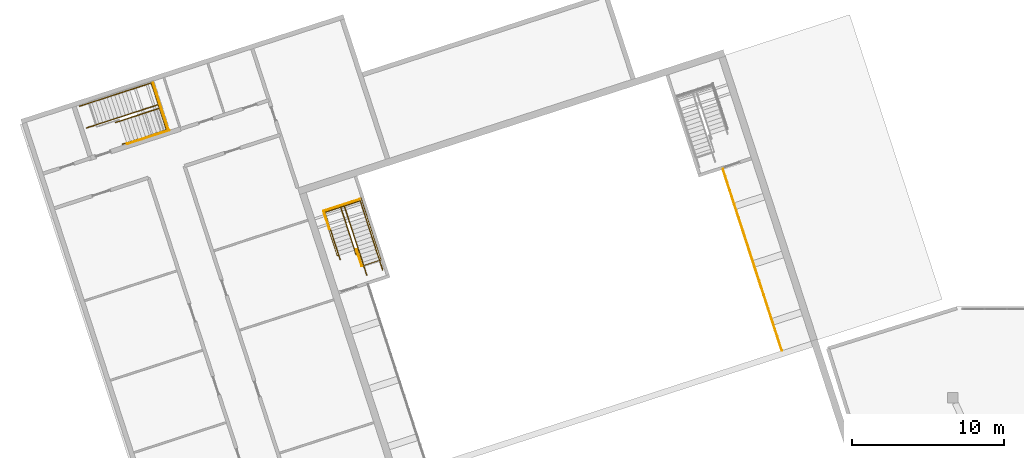
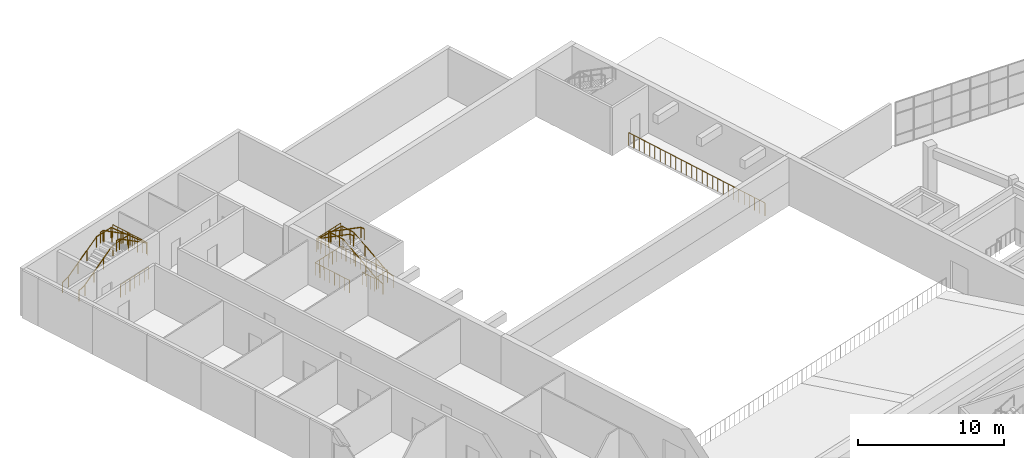
# One storey, part 62 of 65: 11 railings.
"""IFC4 building model written with IfcOpenShell, lengths in metres."""

from ifc_helpers import new_model, si_unit, direction, frame, origin, origin_2d, place, context, subcontext, project, spatial, circle, extrude, material, type_object, element, save


model = new_model("IFC4")

# Units and contexts
model_context = context("Model", 3, precision=1e-05, world=origin(), true_north=direction((0.0, 1.0)))
body_context = subcontext(model_context, "Body", "Model", "MODEL_VIEW")
ifc_project = project(units=[si_unit("LENGTHUNIT", "METRE"), si_unit("AREAUNIT", "SQUARE_METRE"), si_unit("VOLUMEUNIT", "CUBIC_METRE"), si_unit("PLANEANGLEUNIT", "RADIAN"), si_unit("MASSUNIT", "GRAM", prefix="KILO")], contexts=[model_context])

# Site, building, storey
site_placement = place(None, origin())
site = spatial("IfcSite", under=ifc_project, at=site_placement, CompositionType="ELEMENT")
building_placement = place(site_placement, origin())
building = spatial("IfcBuilding", under=site, at=building_placement, Name="Tuart Plaza Theatre", CompositionType="ELEMENT")
storey_placement = place(building_placement, frame((0.0, 0.0, 9.5)))
storey = spatial("IfcBuildingStorey", under=building, at=storey_placement, Name="L02", CompositionType="ELEMENT", Elevation=9.5)

# Railings
ifc_material_1 = material(Name="Steel Grade C350L0", Category="steel")
railing_type_1 = type_object("IfcRailingType", Name="RAILING Guard 1100", PredefinedType="GUARDRAIL", material=ifc_material_1)
railing_1_placement = place(storey_placement, frame((26.4404296875, 91.59716796875, 0.0)))
element("IfcRailing", 1, at=railing_1_placement, inside=storey, type_object=railing_type_1, Name="GR28", PredefinedType="GUARDRAIL", context=body_context, shape_type="SweptSolid", body=[
    extrude(circle(Radius=0.02490234375, at=origin_2d()), frame((0.0, 0.0, 1.0751953125), z_axis=(-0.951039018312, -0.309070842442, 0.0), x_axis=(0.309070842442, -0.951039018312, 0.0)), (0.0, 0.0, 1.0), 2.89990234375),
    extrude(circle(Radius=0.02490234375, at=origin_2d()), frame((-2.7578125, -0.896240234375, 1.0751953125), z_axis=(-0.316227766017, 0.948683298051, 0.0), x_axis=(-0.948683298051, -0.316227766017, 0.0)), (0.0, 0.0, 1.0), 0.02001953125),
    extrude(circle(Radius=0.02001953125, at=origin_2d()), origin(), (0.0, 0.0, 1.0), 1.050048828125),
    extrude(circle(Radius=0.02001953125, at=origin_2d()), frame((-0.459716796875, -0.1494140625, 0.0)), (0.0, 0.0, 1.0), 1.050048828125),
    extrude(circle(Radius=0.02001953125, at=origin_2d()), frame((-0.919189453125, -0.298828125, 0.0)), (0.0, 0.0, 1.0), 1.050048828125),
    extrude(circle(Radius=0.02001953125, at=origin_2d()), frame((-1.37890625, -0.4482421875, 0.0)), (0.0, 0.0, 1.0), 1.050048828125),
    extrude(circle(Radius=0.02001953125, at=origin_2d()), frame((-1.838623046875, -0.597412109375, 0.0)), (0.0, 0.0, 1.0), 1.050048828125),
    extrude(circle(Radius=0.02001953125, at=origin_2d()), frame((-2.298095703125, -0.746826171875, 0.0)), (0.0, 0.0, 1.0), 1.050048828125),
    extrude(circle(Radius=0.02001953125, at=origin_2d()), frame((-2.7578125, -0.896240234375, 0.0)), (0.0, 0.0, 1.0), 1.050048828125),
    extrude(circle(Radius=0.02001953125, at=origin_2d()), frame((-2.76416015625, -0.877197265625, 0.0)), (0.0, 0.0, 1.0), 1.050048828125),
])
railing_2_placement = place(storey_placement, frame((25.37939453125, 94.701171875, 2.0)))
element("IfcRailing", 2, at=railing_2_placement, inside=storey, type_object=railing_type_1, Name="GR33", PredefinedType="GUARDRAIL", context=body_context, shape_type="SweptSolid", body=[
    extrude(circle(Radius=0.02490234375, at=origin_2d()), frame((0.0, 0.0, 1.0751953125), z_axis=(0.309033663672, -0.951051099951, 0.0), x_axis=(0.951051099951, 0.309033663672, 0.0)), (0.0, 0.0, 1.0), 3.16015625),
    extrude(circle(Radius=0.02001953125, at=origin_2d()), origin(), (0.0, 0.0, 1.0), 1.050048828125),
    extrude(circle(Radius=0.02001953125, at=origin_2d()), frame((0.139404296875, -0.429443359375, 0.0)), (0.0, 0.0, 1.0), 1.050048828125),
    extrude(circle(Radius=0.02001953125, at=origin_2d()), frame((0.279052734375, -0.858642578125, 0.0)), (0.0, 0.0, 1.0), 1.050048828125),
    extrude(circle(Radius=0.02001953125, at=origin_2d()), frame((0.41845703125, -1.2880859375, 0.0)), (0.0, 0.0, 1.0), 1.050048828125),
    extrude(circle(Radius=0.02001953125, at=origin_2d()), frame((0.55810546875, -1.71728515625, 0.0)), (0.0, 0.0, 1.0), 1.050048828125),
    extrude(circle(Radius=0.02001953125, at=origin_2d()), frame((0.697509765625, -2.146728515625, 0.0)), (0.0, 0.0, 1.0), 1.050048828125),
    extrude(circle(Radius=0.02001953125, at=origin_2d()), frame((0.837158203125, -2.575927734375, 0.0)), (0.0, 0.0, 1.0), 1.050048828125),
    extrude(circle(Radius=0.02001953125, at=origin_2d()), frame((0.9765625, -3.00537109375, 0.0)), (0.0, 0.0, 1.0), 1.050048828125),
])
railing_3_placement = place(storey_placement, frame((39.114013671875, 82.65576171875, 0.0)))
element("IfcRailing", 3, at=railing_3_placement, inside=storey, type_object=railing_type_1, Name="GR52", PredefinedType="GUARDRAIL", context=body_context, shape_type="SweptSolid", body=[
    extrude(circle(Radius=0.02490234375, at=origin_2d()), frame((0.0, 0.0, 1.0751953125), z_axis=(-0.309181642965, 0.951003002968, 0.0), x_axis=(-0.951003002968, -0.309181642965, 0.0)), (0.0, 0.0, 1.0), 1.1552734375),
    extrude(circle(Radius=0.02001953125, at=origin_2d()), origin(), (0.0, 0.0, 1.0), 1.050048828125),
    extrude(circle(Radius=0.02001953125, at=origin_2d()), frame((-0.119140625, 0.3662109375, 0.0)), (0.0, 0.0, 1.0), 1.050048828125),
    extrude(circle(Radius=0.02001953125, at=origin_2d()), frame((-0.238037109375, 0.732421875, 0.0)), (0.0, 0.0, 1.0), 1.050048828125),
    extrude(circle(Radius=0.02001953125, at=origin_2d()), frame((-0.357177734375, 1.0986328125, 0.0)), (0.0, 0.0, 1.0), 1.050048828125),
])
railing_4_placement = place(storey_placement, frame((37.5380859375, 83.363525390625, 0.0)))
element("IfcRailing", 4, at=railing_4_placement, inside=storey, type_object=railing_type_1, Name="GR53", PredefinedType="GUARDRAIL", context=body_context, shape_type="SweptSolid", body=[
    extrude(circle(Radius=0.02490234375, at=origin_2d()), frame((0.0, 0.0, 1.0751953125), z_axis=(-0.951351351351, -0.308108108108, 0.0), x_axis=(0.308108108108, -0.951351351351, 0.0)), (0.0, 0.0, 1.0), 0.045166015625),
    extrude(circle(Radius=0.02490234375, at=origin_2d()), frame((-0.04296875, -0.013916015625, 1.0751953125), z_axis=(-0.30901175762, 0.951058217804, 0.0), x_axis=(-0.951058217804, -0.30901175762, 0.0)), (0.0, 0.0, 1.0), 3.119873046875),
    extrude(circle(Radius=0.02490234375, at=origin_2d()), frame((-1.007080078125, 2.953369140625, 1.0751953125), z_axis=(0.951065031201, 0.308990786962, 0.0), x_axis=(-0.308990786962, 0.951065031201, 0.0)), (0.0, 0.0, 1.0), 2.6650390625),
    extrude(circle(Radius=0.02490234375, at=origin_2d()), frame((1.527587890625, 3.77685546875, 1.0751953125), z_axis=(0.309115126356, -0.951024625684, 0.0), x_axis=(0.951024625684, 0.309115126356, 0.0)), (0.0, 0.0, 1.0), 1.330078125),
    extrude(circle(Radius=0.02490234375, at=origin_2d()), frame((1.938720703125, 2.511962890625, 1.0751953125), z_axis=(-0.951860557857, -0.306531366089, 0.0), x_axis=(0.306531366089, -0.951860557857, 0.0)), (0.0, 0.0, 1.0), 0.01513671875),
    extrude(circle(Radius=0.02490234375, at=origin_2d()), frame((1.92431640625, 2.50732421875, 1.0751953125), z_axis=(0.309018704887, -0.951055960514, 0.0), x_axis=(0.951055960514, 0.309018704887, 0.0)), (0.0, 0.0, 1.0), 2.949951171875),
    extrude(circle(Radius=0.02490234375, at=origin_2d()), frame((2.8359375, -0.29833984375, 1.0751953125), z_axis=(-0.951051671908, -0.309031903466, 0.0), x_axis=(0.309031903466, -0.951051671908, 0.0)), (0.0, 0.0, 1.0), 1.324951171875),
    extrude(circle(Radius=0.02001953125, at=origin_2d()), origin(), (0.0, 0.0, 1.0), 1.050048828125),
    extrude(circle(Radius=0.02001953125, at=origin_2d()), frame((-0.04296875, -0.013916015625, 0.0)), (0.0, 0.0, 1.0), 1.050048828125),
    extrude(circle(Radius=0.02001953125, at=origin_2d()), frame((-0.1806640625, 0.409912109375, 0.0)), (0.0, 0.0, 1.0), 1.050048828125),
    extrude(circle(Radius=0.02001953125, at=origin_2d()), frame((-0.318359375, 0.833984375, 0.0)), (0.0, 0.0, 1.0), 1.050048828125),
    extrude(circle(Radius=0.02001953125, at=origin_2d()), frame((-0.4560546875, 1.2578125, 0.0)), (0.0, 0.0, 1.0), 1.050048828125),
    extrude(circle(Radius=0.02001953125, at=origin_2d()), frame((-0.593994140625, 1.681640625, 0.0)), (0.0, 0.0, 1.0), 1.050048828125),
    extrude(circle(Radius=0.02001953125, at=origin_2d()), frame((-0.731689453125, 2.10546875, 0.0)), (0.0, 0.0, 1.0), 1.050048828125),
    extrude(circle(Radius=0.02001953125, at=origin_2d()), frame((-0.869384765625, 2.529541015625, 0.0)), (0.0, 0.0, 1.0), 1.050048828125),
    extrude(circle(Radius=0.02001953125, at=origin_2d()), frame((-1.007080078125, 2.953369140625, 0.0)), (0.0, 0.0, 1.0), 1.050048828125),
    extrude(circle(Radius=0.02001953125, at=origin_2d()), frame((-0.584716796875, 3.090576171875, 0.0)), (0.0, 0.0, 1.0), 1.050048828125),
    extrude(circle(Radius=0.02001953125, at=origin_2d()), frame((-0.162109375, 3.227783203125, 0.0)), (0.0, 0.0, 1.0), 1.050048828125),
    extrude(circle(Radius=0.02001953125, at=origin_2d()), frame((0.26025390625, 3.365234375, 0.0)), (0.0, 0.0, 1.0), 1.050048828125),
    extrude(circle(Radius=0.02001953125, at=origin_2d()), frame((0.6826171875, 3.50244140625, 0.0)), (0.0, 0.0, 1.0), 1.050048828125),
    extrude(circle(Radius=0.02001953125, at=origin_2d()), frame((1.105224609375, 3.6396484375, 0.0)), (0.0, 0.0, 1.0), 1.050048828125),
    extrude(circle(Radius=0.02001953125, at=origin_2d()), frame((1.527587890625, 3.77685546875, 0.0)), (0.0, 0.0, 1.0), 1.050048828125),
    extrude(circle(Radius=0.02001953125, at=origin_2d()), frame((1.66455078125, 3.355224609375, 0.0)), (0.0, 0.0, 1.0), 1.050048828125),
    extrude(circle(Radius=0.02001953125, at=origin_2d()), frame((1.8017578125, 2.93359375, 0.0)), (0.0, 0.0, 1.0), 1.050048828125),
    extrude(circle(Radius=0.02001953125, at=origin_2d()), frame((1.938720703125, 2.511962890625, 0.0)), (0.0, 0.0, 1.0), 1.050048828125),
    extrude(circle(Radius=0.02001953125, at=origin_2d()), frame((1.92431640625, 2.50732421875, 0.0)), (0.0, 0.0, 1.0), 1.050048828125),
    extrude(circle(Radius=0.02001953125, at=origin_2d()), frame((2.076171875, 2.039794921875, 0.0)), (0.0, 0.0, 1.0), 1.050048828125),
    extrude(circle(Radius=0.02001953125, at=origin_2d()), frame((2.228271484375, 1.572021484375, 0.0)), (0.0, 0.0, 1.0), 1.050048828125),
    extrude(circle(Radius=0.02001953125, at=origin_2d()), frame((2.380126953125, 1.1044921875, 0.0)), (0.0, 0.0, 1.0), 1.050048828125),
    extrude(circle(Radius=0.02001953125, at=origin_2d()), frame((2.531982421875, 0.636962890625, 0.0)), (0.0, 0.0, 1.0), 1.050048828125),
    extrude(circle(Radius=0.02001953125, at=origin_2d()), frame((2.68408203125, 0.169189453125, 0.0)), (0.0, 0.0, 1.0), 1.050048828125),
    extrude(circle(Radius=0.02001953125, at=origin_2d()), frame((2.8359375, -0.29833984375, 0.0)), (0.0, 0.0, 1.0), 1.050048828125),
    extrude(circle(Radius=0.02001953125, at=origin_2d()), frame((2.416015625, -0.434814453125, 0.0)), (0.0, 0.0, 1.0), 1.050048828125),
    extrude(circle(Radius=0.02001953125, at=origin_2d()), frame((1.995849609375, -0.5712890625, 0.0)), (0.0, 0.0, 1.0), 1.050048828125),
    extrude(circle(Radius=0.02001953125, at=origin_2d()), frame((1.575927734375, -0.707763671875, 0.0)), (0.0, 0.0, 1.0), 1.050048828125),
])
railing_5_placement = place(storey_placement, frame((38.967041015625, 87.055908203125, 2.0)))
element("IfcRailing", 5, at=railing_5_placement, inside=storey, type_object=railing_type_1, Name="GR58", PredefinedType="GUARDRAIL", context=body_context, shape_type="SweptSolid", body=[
    extrude(circle(Radius=0.02490234375, at=origin_2d()), frame((0.0, 0.0, 1.0751953125), z_axis=(-0.951062826572, -0.308997572666, 0.0), x_axis=(0.308997572666, -0.951062826572, 0.0)), (0.0, 0.0, 1.0), 2.4951171875),
    extrude(circle(Radius=0.02001953125, at=origin_2d()), origin(), (0.0, 0.0, 1.0), 1.050048828125),
    extrude(circle(Radius=0.02001953125, at=origin_2d()), frame((-0.474609375, -0.154296875, 0.0)), (0.0, 0.0, 1.0), 1.050048828125),
    extrude(circle(Radius=0.02001953125, at=origin_2d()), frame((-0.94921875, -0.308349609375, 0.0)), (0.0, 0.0, 1.0), 1.050048828125),
    extrude(circle(Radius=0.02001953125, at=origin_2d()), frame((-1.423828125, -0.462646484375, 0.0)), (0.0, 0.0, 1.0), 1.050048828125),
    extrude(circle(Radius=0.02001953125, at=origin_2d()), frame((-1.8984375, -0.61669921875, 0.0)), (0.0, 0.0, 1.0), 1.050048828125),
    extrude(circle(Radius=0.02001953125, at=origin_2d()), frame((-2.373046875, -0.77099609375, 0.0)), (0.0, 0.0, 1.0), 1.050048828125),
])
railing_6_placement = place(storey_placement, frame((36.593994140625, 86.284912109375, 2.0)))
element("IfcRailing", 6, at=railing_6_placement, inside=storey, type_object=railing_type_1, Name="GR59", PredefinedType="GUARDRAIL", context=body_context, shape_type="SweptSolid", body=[
    extrude(circle(Radius=0.02490234375, at=origin_2d()), frame((0.0, 0.0, 1.0751953125), z_axis=(0.309014268544, -0.951057401967, 0.0), x_axis=(0.951057401967, 0.309014268544, 0.0)), (0.0, 0.0, 1.0), 1.230224609375),
    extrude(circle(Radius=0.02001953125, at=origin_2d()), origin(), (0.0, 0.0, 1.0), 1.050048828125),
    extrude(circle(Radius=0.02001953125, at=origin_2d()), frame((0.126708984375, -0.389892578125, 0.0)), (0.0, 0.0, 1.0), 1.050048828125),
    extrude(circle(Radius=0.02001953125, at=origin_2d()), frame((0.25341796875, -0.780029296875, 0.0)), (0.0, 0.0, 1.0), 1.050048828125),
    extrude(circle(Radius=0.02001953125, at=origin_2d()), frame((0.380126953125, -1.169921875, 0.0)), (0.0, 0.0, 1.0), 1.050048828125),
])
railing_7_placement = place(storey_placement, frame((66.750244140625, 77.09375, 0.0)))
element("IfcRailing", 7, at=railing_7_placement, inside=storey, type_object=railing_type_1, Name="GR116", PredefinedType="GUARDRAIL", context=body_context, shape_type="SweptSolid", body=[
    extrude(circle(Radius=0.02490234375, at=origin_2d()), frame((0.0, 0.0, 1.0751953125), z_axis=(-0.309017011458, 0.951056510744, 0.0), x_axis=(-0.951056510744, -0.309017011458, 0.0)), (0.0, 0.0, 1.0), 12.550048828125),
    extrude(circle(Radius=0.02001953125, at=origin_2d()), origin(), (0.0, 0.0, 1.0), 1.050048828125),
    extrude(circle(Radius=0.02001953125, at=origin_2d()), frame((-0.149169921875, 0.458984375, 0.0)), (0.0, 0.0, 1.0), 1.050048828125),
    extrude(circle(Radius=0.02001953125, at=origin_2d()), frame((-0.29833984375, 0.918212890625, 0.0)), (0.0, 0.0, 1.0), 1.050048828125),
    extrude(circle(Radius=0.02001953125, at=origin_2d()), frame((-0.447509765625, 1.377197265625, 0.0)), (0.0, 0.0, 1.0), 1.050048828125),
    extrude(circle(Radius=0.02001953125, at=origin_2d()), frame((-0.5966796875, 1.836181640625, 0.0)), (0.0, 0.0, 1.0), 1.050048828125),
    extrude(circle(Radius=0.02001953125, at=origin_2d()), frame((-0.745849609375, 2.29541015625, 0.0)), (0.0, 0.0, 1.0), 1.050048828125),
    extrude(circle(Radius=0.02001953125, at=origin_2d()), frame((-0.89501953125, 2.75439453125, 0.0)), (0.0, 0.0, 1.0), 1.050048828125),
    extrude(circle(Radius=0.02001953125, at=origin_2d()), frame((-1.044189453125, 3.21337890625, 0.0)), (0.0, 0.0, 1.0), 1.050048828125),
    extrude(circle(Radius=0.02001953125, at=origin_2d()), frame((-1.193359375, 3.672607421875, 0.0)), (0.0, 0.0, 1.0), 1.050048828125),
    extrude(circle(Radius=0.02001953125, at=origin_2d()), frame((-1.342529296875, 4.131591796875, 0.0)), (0.0, 0.0, 1.0), 1.050048828125),
    extrude(circle(Radius=0.02001953125, at=origin_2d()), frame((-1.49169921875, 4.590576171875, 0.0)), (0.0, 0.0, 1.0), 1.050048828125),
    extrude(circle(Radius=0.02001953125, at=origin_2d()), frame((-1.640869140625, 5.0498046875, 0.0)), (0.0, 0.0, 1.0), 1.050048828125),
    extrude(circle(Radius=0.02001953125, at=origin_2d()), frame((-1.7900390625, 5.5087890625, 0.0)), (0.0, 0.0, 1.0), 1.050048828125),
    extrude(circle(Radius=0.02001953125, at=origin_2d()), frame((-1.93896484375, 5.9677734375, 0.0)), (0.0, 0.0, 1.0), 1.050048828125),
    extrude(circle(Radius=0.02001953125, at=origin_2d()), frame((-2.088134765625, 6.427001953125, 0.0)), (0.0, 0.0, 1.0), 1.050048828125),
    extrude(circle(Radius=0.02001953125, at=origin_2d()), frame((-2.2373046875, 6.885986328125, 0.0)), (0.0, 0.0, 1.0), 1.050048828125),
    extrude(circle(Radius=0.02001953125, at=origin_2d()), frame((-2.386474609375, 7.34521484375, 0.0)), (0.0, 0.0, 1.0), 1.050048828125),
    extrude(circle(Radius=0.02001953125, at=origin_2d()), frame((-2.53564453125, 7.80419921875, 0.0)), (0.0, 0.0, 1.0), 1.050048828125),
    extrude(circle(Radius=0.02001953125, at=origin_2d()), frame((-2.684814453125, 8.26318359375, 0.0)), (0.0, 0.0, 1.0), 1.050048828125),
    extrude(circle(Radius=0.02001953125, at=origin_2d()), frame((-2.833984375, 8.722412109375, 0.0)), (0.0, 0.0, 1.0), 1.050048828125),
    extrude(circle(Radius=0.02001953125, at=origin_2d()), frame((-2.983154296875, 9.181396484375, 0.0)), (0.0, 0.0, 1.0), 1.050048828125),
    extrude(circle(Radius=0.02001953125, at=origin_2d()), frame((-3.13232421875, 9.640380859375, 0.0)), (0.0, 0.0, 1.0), 1.050048828125),
    extrude(circle(Radius=0.02001953125, at=origin_2d()), frame((-3.281494140625, 10.099609375, 0.0)), (0.0, 0.0, 1.0), 1.050048828125),
    extrude(circle(Radius=0.02001953125, at=origin_2d()), frame((-3.4306640625, 10.55859375, 0.0)), (0.0, 0.0, 1.0), 1.050048828125),
    extrude(circle(Radius=0.02001953125, at=origin_2d()), frame((-3.579833984375, 11.017578125, 0.0)), (0.0, 0.0, 1.0), 1.050048828125),
    extrude(circle(Radius=0.02001953125, at=origin_2d()), frame((-3.72900390625, 11.476806640625, 0.0)), (0.0, 0.0, 1.0), 1.050048828125),
    extrude(circle(Radius=0.02001953125, at=origin_2d()), frame((-3.878173828125, 11.935791015625, 0.0)), (0.0, 0.0, 1.0), 1.050048828125),
])
ifc_material_2 = material(Name="Steel Grade C350L0", Category="steel")
railing_type_2 = type_object("IfcRailingType", Name="RAILING Handrail 900", PredefinedType="HANDRAIL", material=ifc_material_2)
railing_8_placement = place(storey_placement, frame((21.007080078125, 91.750732421875, 0.0)))
element("IfcRailing", 8, at=railing_8_placement, inside=storey, type_object=railing_type_2, Name="HR21", PredefinedType="HANDRAIL", context=body_context, shape_type="SweptSolid", body=[
    extrude(circle(Radius=0.0224609375, at=origin_2d()), frame((0.0, 0.0, 0.87744140625), z_axis=(0.91641792704, 0.297502654672, 0.267713192544), x_axis=(-0.308773297186, 0.951135663796, 0.0)), (0.0, 0.0, 1.0), 0.622802734375),
    extrude(circle(Radius=0.0224609375, at=origin_2d()), frame((0.57080078125, 0.185302734375, 1.044189453125), z_axis=(0.80067958274, 0.260161573424, 0.539655595261), x_axis=(-0.309022373402, 0.951054768527, 0.0)), (0.0, 0.0, 1.0), 3.39697265625),
    extrude(circle(Radius=0.0224609375, at=origin_2d()), frame((3.290771484375, 1.069091796875, 2.87744140625), z_axis=(0.951032872603, 0.309089752708, 0.0), x_axis=(-0.309089752708, 0.951032872603, 0.0)), (0.0, 0.0, 1.0), 1.5),
    extrude(circle(Radius=0.0224609375, at=origin_2d()), frame((4.71728515625, 1.53271484375, 2.87744140625), z_axis=(0.227464384092, -0.698896877306, 0.678087832704), x_axis=(0.95090484413, 0.309483404096, 0.0)), (0.0, 0.0, 1.0), 0.34033203125),
    extrude(circle(Radius=0.0224609375, at=origin_2d()), frame((4.794677734375, 1.294921875, 3.108154296875), z_axis=(-0.800683001475, -0.26011771988, 0.539671662174), x_axis=(0.308974063591, -0.951070464281, 0.0)), (0.0, 0.0, 1.0), 3.278564453125),
    extrude(circle(Radius=0.0224609375, at=origin_2d()), frame((2.169677734375, 0.442138671875, 4.87744140625), z_axis=(-0.951016131768, -0.309141257546, 0.0), x_axis=(0.309141257546, -0.951016131768, 0.0)), (0.0, 0.0, 1.0), 0.300048828125),
    extrude(circle(Radius=0.01513671875, at=origin_2d()), origin(), (0.0, 0.0, 1.0), 0.85498046875),
    extrude(circle(Radius=0.01513671875, at=origin_2d()), frame((0.57080078125, 0.185302734375, 0.166748046875)), (0.0, 0.0, 1.0), 0.85498046875),
    extrude(circle(Radius=0.01513671875, at=origin_2d()), frame((1.4775390625, 0.47998046875, 0.77783203125)), (0.0, 0.0, 1.0), 0.85498046875),
    extrude(circle(Radius=0.01513671875, at=origin_2d()), frame((2.384033203125, 0.7744140625, 1.388916015625)), (0.0, 0.0, 1.0), 0.85498046875),
    extrude(circle(Radius=0.01513671875, at=origin_2d()), frame((3.290771484375, 1.069091796875, 2.0)), (0.0, 0.0, 1.0), 0.85498046875),
    extrude(circle(Radius=0.01513671875, at=origin_2d()), frame((4.71728515625, 1.53271484375, 2.0)), (0.0, 0.0, 1.0), 0.85498046875),
    extrude(circle(Radius=0.01513671875, at=origin_2d()), frame((4.794677734375, 1.294921875, 2.230712890625)), (0.0, 0.0, 1.0), 0.85498046875),
    extrude(circle(Radius=0.01513671875, at=origin_2d()), frame((3.919677734375, 1.0107421875, 2.820556640625)), (0.0, 0.0, 1.0), 0.85498046875),
    extrude(circle(Radius=0.01513671875, at=origin_2d()), frame((3.044677734375, 0.726318359375, 3.41015625)), (0.0, 0.0, 1.0), 0.85498046875),
    extrude(circle(Radius=0.01513671875, at=origin_2d()), frame((2.169677734375, 0.442138671875, 4.0)), (0.0, 0.0, 1.0), 0.85498046875),
    extrude(circle(Radius=0.01513671875, at=origin_2d()), frame((1.88427734375, 0.349365234375, 4.0)), (0.0, 0.0, 1.0), 0.85498046875),
])
railing_9_placement = place(storey_placement, frame((20.543701171875, 93.17724609375, 0.0)))
element("IfcRailing", 9, at=railing_9_placement, inside=storey, type_object=railing_type_2, Name="HR22", PredefinedType="HANDRAIL", context=body_context, shape_type="SweptSolid", body=[
    extrude(circle(Radius=0.0224609375, at=origin_2d()), frame((0.0, 0.0, 0.87744140625), z_axis=(0.916248123003, 0.297966869269, 0.267778120672), x_axis=(-0.309260889552, 0.950977235371, 0.0)), (0.0, 0.0, 1.0), 0.622802734375),
    extrude(circle(Radius=0.0224609375, at=origin_2d()), frame((0.570556640625, 0.185546875, 1.044189453125), z_axis=(0.80067958274, 0.260161573424, 0.539655595261), x_axis=(-0.309022373402, 0.951054768527, 0.0)), (0.0, 0.0, 1.0), 3.39697265625),
    extrude(circle(Radius=0.0224609375, at=origin_2d()), frame((3.29052734375, 1.0693359375, 2.87744140625), z_axis=(0.951096241278, 0.308894706699, 0.0), x_axis=(-0.308894706699, 0.951096241278, 0.0)), (0.0, 0.0, 1.0), 1.5),
    extrude(circle(Radius=0.0224609375, at=origin_2d()), frame((4.71728515625, 1.53271484375, 2.87744140625), z_axis=(0.308208462342, -0.948679585037, 0.070813760494), x_axis=(0.951067187383, 0.308984150214, 0.0)), (0.0, 0.0, 1.0), 3.258056640625),
    extrude(circle(Radius=0.0224609375, at=origin_2d()), frame((5.721435546875, -1.55810546875, 3.108154296875), z_axis=(-0.800640759168, -0.260202661383, 0.539693384959), x_axis=(0.309080071637, -0.951036018938, 0.0)), (0.0, 0.0, 1.0), 3.2783203125),
    extrude(circle(Radius=0.0224609375, at=origin_2d()), frame((3.0966796875, -2.4111328125, 4.87744140625), z_axis=(-0.951255083436, -0.308405198137, 0.0), x_axis=(0.308405198137, -0.951255083436, 0.0)), (0.0, 0.0, 1.0), 0.300048828125),
    extrude(circle(Radius=0.01513671875, at=origin_2d()), origin(), (0.0, 0.0, 1.0), 0.85498046875),
    extrude(circle(Radius=0.01513671875, at=origin_2d()), frame((0.570556640625, 0.185546875, 0.166748046875)), (0.0, 0.0, 1.0), 0.85498046875),
    extrude(circle(Radius=0.01513671875, at=origin_2d()), frame((1.477294921875, 0.480224609375, 0.77783203125)), (0.0, 0.0, 1.0), 0.85498046875),
    extrude(circle(Radius=0.01513671875, at=origin_2d()), frame((2.3837890625, 0.774658203125, 1.388916015625)), (0.0, 0.0, 1.0), 0.85498046875),
    extrude(circle(Radius=0.01513671875, at=origin_2d()), frame((3.29052734375, 1.0693359375, 2.0)), (0.0, 0.0, 1.0), 0.85498046875),
    extrude(circle(Radius=0.01513671875, at=origin_2d()), frame((4.00390625, 1.301025390625, 2.0)), (0.0, 0.0, 1.0), 0.85498046875),
    extrude(circle(Radius=0.01513671875, at=origin_2d()), frame((4.71728515625, 1.53271484375, 2.0)), (0.0, 0.0, 1.0), 0.85498046875),
    extrude(circle(Radius=0.01513671875, at=origin_2d()), frame((5.052001953125, 0.50244140625, 2.076904296875)), (0.0, 0.0, 1.0), 0.85498046875),
    extrude(circle(Radius=0.01513671875, at=origin_2d()), frame((5.38671875, -0.52783203125, 2.15380859375)), (0.0, 0.0, 1.0), 0.85498046875),
    extrude(circle(Radius=0.01513671875, at=origin_2d()), frame((5.721435546875, -1.55810546875, 2.230712890625)), (0.0, 0.0, 1.0), 0.85498046875),
    extrude(circle(Radius=0.01513671875, at=origin_2d()), frame((4.846435546875, -1.842529296875, 2.820556640625)), (0.0, 0.0, 1.0), 0.85498046875),
    extrude(circle(Radius=0.01513671875, at=origin_2d()), frame((3.9716796875, -2.126708984375, 3.41015625)), (0.0, 0.0, 1.0), 0.85498046875),
    extrude(circle(Radius=0.01513671875, at=origin_2d()), frame((3.0966796875, -2.4111328125, 4.0)), (0.0, 0.0, 1.0), 0.85498046875),
    extrude(circle(Radius=0.01513671875, at=origin_2d()), frame((2.811279296875, -2.503662109375, 4.0)), (0.0, 0.0, 1.0), 0.85498046875),
])
railing_10_placement = place(storey_placement, frame((39.436767578125, 82.066650390625, 0.0)))
element("IfcRailing", 10, at=railing_10_placement, inside=storey, type_object=railing_type_2, Name="HR33", PredefinedType="HANDRAIL", context=body_context, shape_type="SweptSolid", body=[
    extrude(circle(Radius=0.0224609375, at=origin_2d()), frame((0.0, 0.0, 0.87744140625), z_axis=(-0.297859866657, 0.916311010847, 0.267681959114), x_axis=(-0.951016131768, -0.309141257546, 0.0)), (0.0, 0.0, 1.0), 0.623046875),
    extrude(circle(Radius=0.0224609375, at=origin_2d()), frame((-0.185546875, 0.57080078125, 1.044189453125), z_axis=(-0.265513415955, 0.817247297236, 0.511477742536), x_axis=(-0.951065520339, -0.308989281404, 0.0)), (0.0, 0.0, 1.0), 3.584228515625),
    extrude(circle(Radius=0.0224609375, at=origin_2d()), frame((-1.13720703125, 3.5, 2.87744140625), z_axis=(-0.309161347536, 0.951009600998, 0.0), x_axis=(-0.951009600998, -0.309161347536, 0.0)), (0.0, 0.0, 1.0), 1.10009765625),
    extrude(circle(Radius=0.0224609375, at=origin_2d()), frame((-1.477294921875, 4.546142578125, 2.87744140625), z_axis=(-0.705135226707, -0.229005890688, 0.671074223978), x_axis=(0.30888714147, -0.951098698261, 0.0)), (0.0, 0.0, 1.0), 0.3369140625),
    extrude(circle(Radius=0.0224609375, at=origin_2d()), frame((-1.71484375, 4.468994140625, 3.103515625), z_axis=(0.265468554482, -0.817243290635, 0.511507429559), x_axis=(0.951080416459, 0.308943427553, 0.0)), (0.0, 0.0, 1.0), 3.468017578125),
    extrude(circle(Radius=0.0224609375, at=origin_2d()), frame((-0.794189453125, 1.634765625, 4.87744140625), z_axis=(0.309141257546, -0.951016131768, 0.0), x_axis=(0.951016131768, 0.309141257546, 0.0)), (0.0, 0.0, 1.0), 0.300048828125),
    extrude(circle(Radius=0.01513671875, at=origin_2d()), origin(), (0.0, 0.0, 1.0), 0.85498046875),
    extrude(circle(Radius=0.01513671875, at=origin_2d()), frame((-0.185546875, 0.57080078125, 0.166748046875)), (0.0, 0.0, 1.0), 0.85498046875),
    extrude(circle(Radius=0.01513671875, at=origin_2d()), frame((-0.502685546875, 1.547119140625, 0.77783203125)), (0.0, 0.0, 1.0), 0.85498046875),
    extrude(circle(Radius=0.01513671875, at=origin_2d()), frame((-0.820068359375, 2.523681640625, 1.388916015625)), (0.0, 0.0, 1.0), 0.85498046875),
    extrude(circle(Radius=0.01513671875, at=origin_2d()), frame((-1.13720703125, 3.5, 2.0)), (0.0, 0.0, 1.0), 0.85498046875),
    extrude(circle(Radius=0.01513671875, at=origin_2d()), frame((-1.477294921875, 4.546142578125, 2.0)), (0.0, 0.0, 1.0), 0.85498046875),
    extrude(circle(Radius=0.01513671875, at=origin_2d()), frame((-1.71484375, 4.468994140625, 2.22607421875)), (0.0, 0.0, 1.0), 0.85498046875),
    extrude(circle(Radius=0.01513671875, at=origin_2d()), frame((-1.407958984375, 3.524169921875, 2.8173828125)), (0.0, 0.0, 1.0), 0.85498046875),
    extrude(circle(Radius=0.01513671875, at=origin_2d()), frame((-1.10107421875, 2.57958984375, 3.40869140625)), (0.0, 0.0, 1.0), 0.85498046875),
    extrude(circle(Radius=0.01513671875, at=origin_2d()), frame((-0.794189453125, 1.634765625, 4.0)), (0.0, 0.0, 1.0), 0.85498046875),
    extrude(circle(Radius=0.01513671875, at=origin_2d()), frame((-0.701416015625, 1.349365234375, 4.0)), (0.0, 0.0, 1.0), 0.85498046875),
])
railing_11_placement = place(storey_placement, frame((40.48291015625, 82.40673828125, 0.0)))
element("IfcRailing", 11, at=railing_11_placement, inside=storey, type_object=railing_type_2, Name="HR34", PredefinedType="HANDRAIL", context=body_context, shape_type="SweptSolid", body=[
    extrude(circle(Radius=0.0224609375, at=origin_2d()), frame((0.0, 0.0, 0.87744140625), z_axis=(-0.297966869269, 0.916248123003, 0.267778120672), x_axis=(-0.950977235371, -0.309260889552, 0.0)), (0.0, 0.0, 1.0), 0.622802734375),
    extrude(circle(Radius=0.0224609375, at=origin_2d()), frame((-0.185546875, 0.570556640625, 1.044189453125), z_axis=(-0.265513415955, 0.817247297236, 0.511477742536), x_axis=(-0.951065520339, -0.308989281404, 0.0)), (0.0, 0.0, 1.0), 3.584228515625),
    extrude(circle(Radius=0.0224609375, at=origin_2d()), frame((-1.13720703125, 3.499755859375, 2.87744140625), z_axis=(-0.308960600764, 0.951074837842, 0.0), x_axis=(-0.951074837842, -0.308960600764, 0.0)), (0.0, 0.0, 1.0), 1.099853515625),
    extrude(circle(Radius=0.0224609375, at=origin_2d()), frame((-1.47705078125, 4.5458984375, 2.87744140625), z_axis=(-0.947044372625, -0.307677799844, 0.091876698696), x_axis=(0.308984684145, -0.951067013919, 0.0)), (0.0, 0.0, 1.0), 2.460693359375),
    extrude(circle(Radius=0.0224609375, at=origin_2d()), frame((-3.807373046875, 3.788818359375, 3.103515625), z_axis=(0.265549265619, -0.817204632901, 0.511527296921), x_axis=(0.951048517831, 0.309041610033, 0.0)), (0.0, 0.0, 1.0), 3.468017578125),
    extrude(circle(Radius=0.0224609375, at=origin_2d()), frame((-2.886474609375, 0.954833984375, 4.87744140625), z_axis=(0.309141257546, -0.951016131768, 0.0), x_axis=(0.951016131768, 0.309141257546, 0.0)), (0.0, 0.0, 1.0), 0.300048828125),
    extrude(circle(Radius=0.01513671875, at=origin_2d()), origin(), (0.0, 0.0, 1.0), 0.85498046875),
    extrude(circle(Radius=0.01513671875, at=origin_2d()), frame((-0.185546875, 0.570556640625, 0.166748046875)), (0.0, 0.0, 1.0), 0.85498046875),
    extrude(circle(Radius=0.01513671875, at=origin_2d()), frame((-0.502685546875, 1.546875, 0.77783203125)), (0.0, 0.0, 1.0), 0.85498046875),
    extrude(circle(Radius=0.01513671875, at=origin_2d()), frame((-0.820068359375, 2.5234375, 1.388916015625)), (0.0, 0.0, 1.0), 0.85498046875),
    extrude(circle(Radius=0.01513671875, at=origin_2d()), frame((-1.13720703125, 3.499755859375, 2.0)), (0.0, 0.0, 1.0), 0.85498046875),
    extrude(circle(Radius=0.01513671875, at=origin_2d()), frame((-1.47705078125, 4.5458984375, 2.0)), (0.0, 0.0, 1.0), 0.85498046875),
    extrude(circle(Radius=0.01513671875, at=origin_2d()), frame((-2.64208984375, 4.16748046875, 2.113037109375)), (0.0, 0.0, 1.0), 0.85498046875),
    extrude(circle(Radius=0.01513671875, at=origin_2d()), frame((-3.807373046875, 3.788818359375, 2.22607421875)), (0.0, 0.0, 1.0), 0.85498046875),
    extrude(circle(Radius=0.01513671875, at=origin_2d()), frame((-3.50048828125, 2.84423828125, 2.8173828125)), (0.0, 0.0, 1.0), 0.85498046875),
    extrude(circle(Radius=0.01513671875, at=origin_2d()), frame((-3.193359375, 1.8994140625, 3.40869140625)), (0.0, 0.0, 1.0), 0.85498046875),
    extrude(circle(Radius=0.01513671875, at=origin_2d()), frame((-2.886474609375, 0.954833984375, 4.0)), (0.0, 0.0, 1.0), 0.85498046875),
    extrude(circle(Radius=0.01513671875, at=origin_2d()), frame((-2.793701171875, 0.66943359375, 4.0)), (0.0, 0.0, 1.0), 0.85498046875),
])

save(model, "model.ifc")
